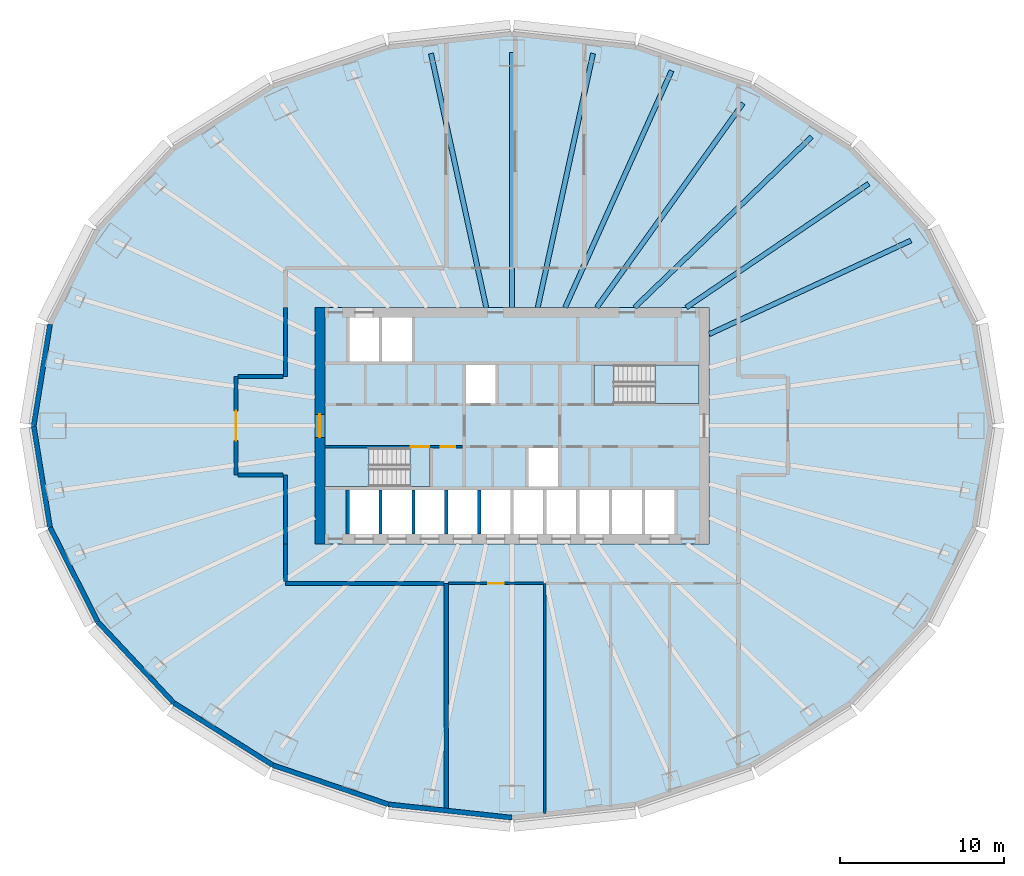
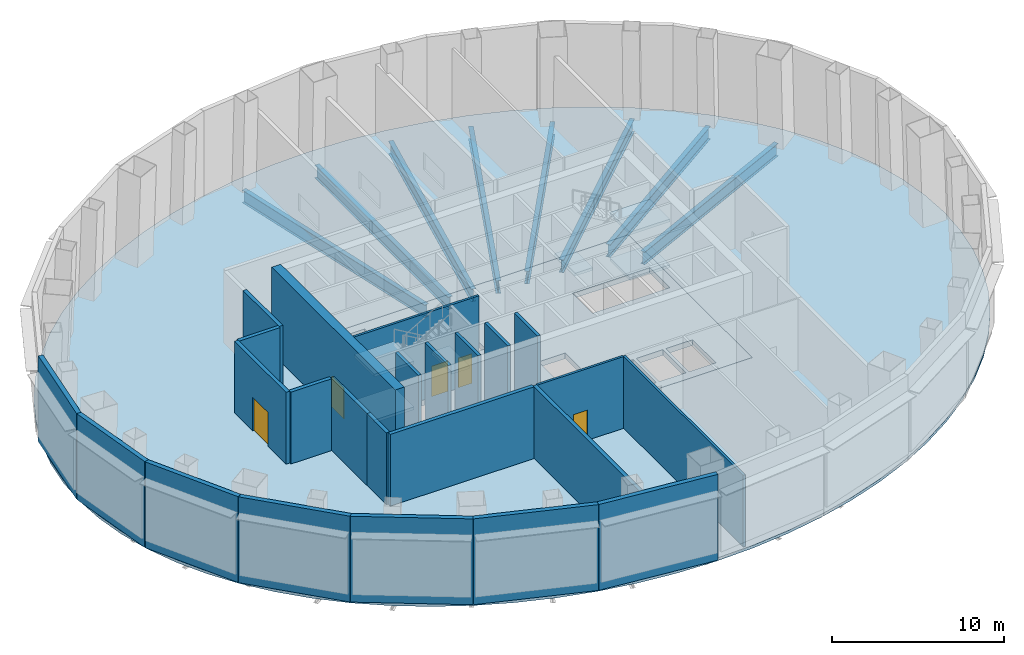
# One storey, part 2 of 9: 24 walls, 8 beams, 8 slabs, 5 doors, 5 openings, 2 elements without a shape of their own.
"""IFC4 building model written with IfcOpenShell, lengths in metres."""

from ifc_helpers import new_model, si_unit, direction, frame, frame_2d, origin, origin_2d, place, context, subcontext, project, spatial, polyline, rectangle, i_section, outline, extrude, material, layer, layer_set, material_profile, profile_set, type_object, element, fill, aggregate, save


model = new_model("IFC4")

# Units and contexts
model_context = context("Model", 3, precision=1e-05, world=origin(), true_north=direction((0.0, 1.0)))
body_context = subcontext(model_context, "Body", "Model", "MODEL_VIEW")
ifc_project = project(units=[si_unit("LENGTHUNIT", "METRE"), si_unit("AREAUNIT", "SQUARE_METRE"), si_unit("VOLUMEUNIT", "CUBIC_METRE"), si_unit("PLANEANGLEUNIT", "RADIAN"), si_unit("MASSUNIT", "GRAM", prefix="KILO")], contexts=[model_context])

# Site, building, storey
site_placement = place(None, origin())
site = spatial("IfcSite", under=ifc_project, at=site_placement, CompositionType="ELEMENT")
building_placement = place(site_placement, origin())
building = spatial("IfcBuilding", under=site, at=building_placement, Name="Siaravel Broadcast Tower", CompositionType="ELEMENT")
storey_placement = place(building_placement, frame((0.0, 0.0, 13.5)))
storey = spatial("IfcBuildingStorey", under=building, at=storey_placement, Name="L02", CompositionType="ELEMENT", Elevation=13.5)

# Beams
ifc_material_1 = material(Name="Steel S355", Category="steel")
ifc_material_profile = material_profile(ifc_material_1, i_section(OverallWidth=0.30322265625, OverallDepth=0.903076171875, WebThickness=0.01513671875, FlangeThickness=0.020263671875, FilletRadius=0.01904296875, at=origin_2d()))
ifc_profile_set = profile_set([ifc_material_profile], Name="Steel S355")
beam_type = type_object("IfcBeamType", Name="BM-UB 914x305x201", PredefinedType="BEAM", material=ifc_profile_set)
beam_1_placement = place(storey_placement, frame((24.280517578125, 11.274169921875, -0.651611328125), z_axis=(-0.906995439, -0.421140444, 0.0), x_axis=(0.421140444, -0.906995439, 0.0)))
element("IfcBeam", 1, at=beam_1_placement, inside=storey, type_object=beam_type, Name="Radial beam RB04", PredefinedType="BEAM", context=body_context, shape_type="SweptSolid", body=[
    extrude(i_section(OverallWidth=0.30322265625, OverallDepth=0.903076171875, WebThickness=0.01513671875, FlangeThickness=0.020263671875, FilletRadius=0.01904296875, at=origin_2d()), origin(), (0.0, 0.0, 1.0), 13.539794921875),
])
beam_2_placement = place(storey_placement, frame((21.7138671875, 14.736083984375, -0.651611328125), z_axis=(-0.82744317, -0.561549463, 0.0), x_axis=(0.561549463, -0.82744317, 0.0)))
element("IfcBeam", 2, at=beam_2_placement, inside=storey, type_object=beam_type, Name="Radial beam RB05", PredefinedType="BEAM", context=body_context, shape_type="SweptSolid", body=[
    extrude(i_section(OverallWidth=0.30322265625, OverallDepth=0.903076171875, WebThickness=0.01513671875, FlangeThickness=0.020263671875, FilletRadius=0.01904296875, at=origin_2d()), origin(), (0.0, 0.0, 1.0), 13.420166015625),
])
beam_3_placement = place(storey_placement, frame((18.23583984375, 17.584716796875, -0.651611328125), z_axis=(-0.719833229, -0.694147047, 0.0), x_axis=(0.694147047, -0.719833229, 0.0)))
element("IfcBeam", 3, at=beam_3_placement, inside=storey, type_object=beam_type, Name="Radial beam RB06", PredefinedType="BEAM", context=body_context, shape_type="SweptSolid", body=[
    extrude(i_section(OverallWidth=0.30322265625, OverallDepth=0.903076171875, WebThickness=0.01513671875, FlangeThickness=0.020263671875, FilletRadius=0.01904296875, at=origin_2d()), origin(), (0.0, 0.0, 1.0), 14.96044921875),
])
beam_4_placement = place(storey_placement, frame((14.067138671875, 19.630615234375, -0.651611328125), z_axis=(-0.582478861, -0.81284585, 0.0), x_axis=(0.81284585, -0.582478861, 0.0)))
element("IfcBeam", 4, at=beam_4_placement, inside=storey, type_object=beam_type, Name="Radial beam RB07", PredefinedType="BEAM", context=body_context, shape_type="SweptSolid", body=[
    extrude(i_section(OverallWidth=0.30322265625, OverallDepth=0.903076171875, WebThickness=0.01513671875, FlangeThickness=0.020263671875, FilletRadius=0.01904296875, at=origin_2d()), origin(), (0.0, 0.0, 1.0), 15.292724609375),
])
beam_5_placement = place(storey_placement, frame((9.7158203125, 21.61279296875, -0.651611328125), z_axis=(-0.410020963, -0.912076099, 0.0), x_axis=(0.912076099, -0.410020963, 0.0)))
element("IfcBeam", 5, at=beam_5_placement, inside=storey, type_object=beam_type, Name="Radial beam RB08", PredefinedType="BEAM", context=body_context, shape_type="SweptSolid", body=[
    extrude(i_section(OverallWidth=0.30322265625, OverallDepth=0.903076171875, WebThickness=0.01513671875, FlangeThickness=0.020263671875, FilletRadius=0.01904296875, at=origin_2d()), origin(), (0.0, 0.0, 1.0), 15.80224609375),
])
beam_6_placement = place(storey_placement, frame((4.9345703125, 22.662109375, -0.651611328125), z_axis=(-0.212767823, -0.977102786, 0.0), x_axis=(0.977102786, -0.212767823, 0.0)))
element("IfcBeam", 6, at=beam_6_placement, inside=storey, type_object=beam_type, Name="Radial beam RB09", PredefinedType="BEAM", context=body_context, shape_type="SweptSolid", body=[
    extrude(i_section(OverallWidth=0.30322265625, OverallDepth=0.903076171875, WebThickness=0.01513671875, FlangeThickness=0.020263671875, FilletRadius=0.01904296875, at=origin_2d()), origin(), (0.0, 0.0, 1.0), 15.824462890625),
])
beam_7_placement = place(storey_placement, frame((0.0, 22.7158203125, -0.651611328125), z_axis=(0.0, -1.0, 0.0), x_axis=(1.0, 0.0, 0.0)))
element("IfcBeam", 7, at=beam_7_placement, inside=storey, type_object=beam_type, Name="Radial beam RB10", PredefinedType="BEAM", context=body_context, shape_type="SweptSolid", body=[
    extrude(i_section(OverallWidth=0.30322265625, OverallDepth=0.903076171875, WebThickness=0.01513671875, FlangeThickness=0.020263671875, FilletRadius=0.01904296875, at=origin_2d()), origin(), (0.0, 0.0, 1.0), 15.515869140625),
])
beam_8_placement = place(storey_placement, frame((-4.9345703125, 22.662109375, -0.651611328125), z_axis=(0.212767823, -0.977102786, 0.0), x_axis=(0.977102786, 0.212767823, 0.0)))
element("IfcBeam", 8, at=beam_8_placement, inside=storey, type_object=beam_type, Name="Radial beam RB11", PredefinedType="BEAM", context=body_context, shape_type="SweptSolid", body=[
    extrude(i_section(OverallWidth=0.30322265625, OverallDepth=0.903076171875, WebThickness=0.01513671875, FlangeThickness=0.020263671875, FilletRadius=0.01904296875, at=origin_2d()), origin(), (0.0, 0.0, 1.0), 15.824462890625),
])

# Slabs
ifc_material_2 = material(Name="Concrete C40/50", Category="concrete")
ifc_layer_1 = layer(ifc_material_2, 0.39990234375)
ifc_layer_set_1 = layer_set([ifc_layer_1], Name="Concrete C40/50")
slab_type_1 = type_object("IfcSlabType", Name="Core floor slab 400", PredefinedType="FLOOR", material=ifc_layer_set_1)
slab_1_placement = place(storey_placement, frame((0.0, 0.0, -0.39990234375)))
element("IfcSlab", 9, at=slab_1_placement, inside=storey, type_object=slab_type_1, Name="L02 core floor", PredefinedType="FLOOR", context=body_context, shape_type="SweptSolid", body=[
    extrude(outline(polyline([(-12.0, -7.199951171875), (-12.0, 7.199951171875), (12.0, 7.199951171875), (12.0, -7.199951171875), (-12.0, -7.199951171875)]), holes=[polyline([(11.3994140625, 1.3505859375), (11.3994140625, 3.699462890625), (6.200439453125, 3.699462890625), (6.200439453125, 1.3505859375), (11.3994140625, 1.3505859375)]), polyline([(9.89990234375, -3.89990234375), (8.10009765625, -3.89990234375), (8.10009765625, -6.60009765625), (9.89990234375, -6.60009765625), (9.89990234375, -3.89990234375)]), polyline([(7.89990234375, -3.89990234375), (6.10009765625, -3.89990234375), (6.10009765625, -6.60009765625), (7.89990234375, -6.60009765625), (7.89990234375, -3.89990234375)]), polyline([(5.89990234375, -3.89990234375), (4.10009765625, -3.89990234375), (4.10009765625, -6.60009765625), (5.89990234375, -6.60009765625), (5.89990234375, -3.89990234375)]), polyline([(3.89990234375, -3.89990234375), (2.10009765625, -3.89990234375), (2.10009765625, -6.60009765625), (3.89990234375, -6.60009765625), (3.89990234375, -3.89990234375)]), polyline([(2.800048828125, -1.35009765625), (1.0, -1.35009765625), (1.0, -3.699951171875), (2.800048828125, -3.699951171875), (2.800048828125, -1.35009765625)]), polyline([(1.89990234375, -3.89990234375), (0.10009765625, -3.89990234375), (0.10009765625, -6.60009765625), (1.89990234375, -6.60009765625), (1.89990234375, -3.89990234375)]), polyline([(-0.10009765625, -3.89990234375), (-1.89990234375, -3.89990234375), (-1.89990234375, -6.60009765625), (-0.10009765625, -6.60009765625), (-0.10009765625, -3.89990234375)]), polyline([(-1.0, 3.699951171875), (-2.800048828125, 3.699951171875), (-2.800048828125, 1.35009765625), (-1.0, 1.35009765625), (-1.0, 3.699951171875)]), polyline([(-2.10009765625, -3.89990234375), (-3.89990234375, -3.89990234375), (-3.89990234375, -6.60009765625), (-2.10009765625, -6.60009765625), (-2.10009765625, -3.89990234375)]), polyline([(-4.10009765625, -3.89990234375), (-5.89990234375, -3.89990234375), (-5.89990234375, -6.60009765625), (-4.10009765625, -6.60009765625), (-4.10009765625, -3.89990234375)]), polyline([(-6.10009765625, -3.89990234375), (-7.89990234375, -3.89990234375), (-7.89990234375, -6.60009765625), (-6.10009765625, -6.60009765625), (-6.10009765625, -3.89990234375)]), polyline([(-6.10009765625, 6.60009765625), (-7.89990234375, 6.60009765625), (-7.89990234375, 3.89990234375), (-6.10009765625, 3.89990234375), (-6.10009765625, 6.60009765625)]), polyline([(-11.3994140625, -1.3505859375), (-11.3994140625, -3.699462890625), (-6.200439453125, -3.699462890625), (-6.200439453125, -1.3505859375), (-11.3994140625, -1.3505859375)]), polyline([(-8.10009765625, -3.89990234375), (-9.89990234375, -3.89990234375), (-9.89990234375, -6.60009765625), (-8.10009765625, -6.60009765625), (-8.10009765625, -3.89990234375)]), polyline([(-8.10009765625, 6.60009765625), (-9.89990234375, 6.60009765625), (-9.89990234375, 3.89990234375), (-8.10009765625, 3.89990234375), (-8.10009765625, 6.60009765625)])]), origin(), (0.0, 0.0, 1.0), 0.39990234375),
])
ifc_layer_2 = layer(ifc_material_2, 0.199951171875)
ifc_layer_set_2 = layer_set([ifc_layer_2], Name="Concrete C40/50")
slab_type_2 = type_object("IfcSlabType", Name="SLB-FLOOR-200", PredefinedType="FLOOR", material=ifc_layer_set_2)
slab_2_placement = place(storey_placement, frame((0.0, 0.0, -0.199951171875)))
element("IfcSlab", 10, at=slab_2_placement, inside=storey, type_object=slab_type_2, Name="Floor slab", PredefinedType="FLOOR", context=body_context, shape_type="SweptSolid", body=[
    extrude(outline(polyline([(29.074951171875, 0.0), (28.96435546875, 2.07568359375), (28.63330078125, 4.135498046875), (28.084228515625, 6.1640625), (27.321533203125, 8.1455078125), (26.350830078125, 10.06494140625), (25.1796875, 11.90771484375), (23.81689453125, 13.66015625), (22.272705078125, 15.308349609375), (20.55908203125, 16.840087890625), (18.68896484375, 18.243896484375), (16.6767578125, 19.5087890625), (14.53759765625, 20.625), (12.28759765625, 21.58447265625), (9.944091796875, 22.37939453125), (7.525146484375, 23.004150390625), (5.048828125, 23.453857421875), (2.5341796875, 23.72509765625), (0.0, 23.815673828125), (-2.5341796875, 23.72509765625), (-5.048828125, 23.453857421875), (-7.525146484375, 23.004150390625), (-9.944091796875, 22.37939453125), (-12.28759765625, 21.58447265625), (-14.53759765625, 20.625), (-16.6767578125, 19.5087890625), (-18.68896484375, 18.243896484375), (-20.55908203125, 16.840087890625), (-22.272705078125, 15.308349609375), (-23.81689453125, 13.66015625), (-25.1796875, 11.90771484375), (-26.350830078125, 10.06494140625), (-27.321533203125, 8.1455078125), (-28.084228515625, 6.1640625), (-28.63330078125, 4.135498046875), (-28.96435546875, 2.07568359375), (-29.074951171875, 0.0), (-28.96435546875, -2.07568359375), (-28.63330078125, -4.135498046875), (-28.084228515625, -6.1640625), (-27.321533203125, -8.1455078125), (-26.350830078125, -10.06494140625), (-25.1796875, -11.907958984375), (-23.81689453125, -13.66015625), (-22.272705078125, -15.308349609375), (-20.55908203125, -16.840087890625), (-18.68896484375, -18.243896484375), (-16.6767578125, -19.5087890625), (-14.53759765625, -20.625), (-12.28759765625, -21.58447265625), (-9.944091796875, -22.37939453125), (-7.525146484375, -23.004150390625), (-5.048828125, -23.453857421875), (-2.5341796875, -23.72509765625), (0.0, -23.815673828125), (2.5341796875, -23.72509765625), (5.048828125, -23.453857421875), (7.525146484375, -23.004150390625), (9.944091796875, -22.37939453125), (12.28759765625, -21.58447265625), (14.53759765625, -20.625), (16.6767578125, -19.5087890625), (18.68896484375, -18.243896484375), (20.55908203125, -16.840087890625), (22.272705078125, -15.308349609375), (23.81689453125, -13.66015625), (25.1796875, -11.907958984375), (26.350830078125, -10.06494140625), (27.321533203125, -8.1455078125), (28.084228515625, -6.1640625), (28.63330078125, -4.135498046875), (28.96435546875, -2.07568359375), (29.074951171875, 0.0)]), holes=[polyline([(-12.0, 7.199951171875), (12.0, 7.199951171875), (12.0, -7.199951171875), (-12.0, -7.199951171875), (-12.0, 7.199951171875)])]), origin(), (0.0, 0.0, 1.0), 0.199951171875),
])

# Stair, slabs
stair_type = type_object("IfcStairType", Name="Core exit stair", PredefinedType="HALF_TURN_STAIR", material=ifc_material_2)
stair_1_placement = place(storey_placement, origin())
stair_1 = element("IfcStair", 11, at=stair_1_placement, inside=storey, type_object=stair_type, Name="L02 Exit stair ST-1", PredefinedType="HALF_TURN_STAIR")
ifc_layer_3 = layer(ifc_material_2, 0.199951171875)
ifc_layer_set_3 = layer_set([ifc_layer_3], Name="Concrete C40/50")
slab_type_3 = type_object("IfcSlabType", Name="Stair landing", PredefinedType="LANDING", material=ifc_layer_set_3)
slab_3_placement = place(storey_placement, frame((0.0, 0.0, 1.425048828125)))
slab_3 = element("IfcSlab", 12, at=slab_3_placement, type_object=slab_type_3, Name="ST-1 landing 1", PredefinedType="LANDING", context=body_context, shape_type="SweptSolid", body=[
    extrude(outline(polyline([(-8.719970703125, -1.35009765625), (-11.39990234375, -1.35009765625), (-11.39990234375, -3.699951171875), (-8.719970703125, -3.699951171875), (-8.719970703125, -1.35009765625)])), origin(), (0.0, 0.0, 1.0), 0.199951171875),
])
slab_4_placement = place(storey_placement, frame((0.0, 0.0, 3.050048828125)))
slab_4 = element("IfcSlab", 13, at=slab_4_placement, type_object=slab_type_3, Name="ST-1 landing 2", PredefinedType="LANDING", context=body_context, shape_type="SweptSolid", body=[
    extrude(outline(polyline([(-5.0, -1.35009765625), (-6.199951171875, -1.35009765625), (-6.199951171875, -3.699951171875), (-5.0, -3.699951171875), (-5.0, -1.35009765625)])), origin(), (0.0, 0.0, 1.0), 0.199951171875),
])
slab_5_placement = place(storey_placement, frame((0.0, 0.0, 4.675048828125)))
slab_5 = element("IfcSlab", 14, at=slab_5_placement, type_object=slab_type_3, Name="ST-1 landing 3", PredefinedType="LANDING", context=body_context, shape_type="SweptSolid", body=[
    extrude(outline(polyline([(-8.719970703125, -1.35009765625), (-11.39990234375, -1.35009765625), (-11.39990234375, -3.699951171875), (-8.719970703125, -3.699951171875), (-8.719970703125, -1.35009765625)])), origin(), (0.0, 0.0, 1.0), 0.199951171875),
])
aggregate(stair_1, [slab_3, slab_4, slab_5])

stair_2_placement = place(storey_placement, origin())
stair_2 = element("IfcStair", 15, at=stair_2_placement, inside=storey, type_object=stair_type, Name="L02 Exit stair ST-2", PredefinedType="HALF_TURN_STAIR")
slab_6_placement = place(storey_placement, frame((0.0, 0.0, 1.425048828125)))
slab_6 = element("IfcSlab", 16, at=slab_6_placement, type_object=slab_type_3, Name="ST-2 landing 1", PredefinedType="LANDING", context=body_context, shape_type="SweptSolid", body=[
    extrude(outline(polyline([(8.719970703125, 1.35009765625), (11.39990234375, 1.35009765625), (11.39990234375, 3.699951171875), (8.719970703125, 3.699951171875), (8.719970703125, 1.35009765625)])), origin(), (0.0, 0.0, 1.0), 0.199951171875),
])
slab_7_placement = place(storey_placement, frame((0.0, 0.0, 3.050048828125)))
slab_7 = element("IfcSlab", 17, at=slab_7_placement, type_object=slab_type_3, Name="ST-2 landing 2", PredefinedType="LANDING", context=body_context, shape_type="SweptSolid", body=[
    extrude(outline(polyline([(5.0, 1.35009765625), (6.199951171875, 1.35009765625), (6.199951171875, 3.699951171875), (5.0, 3.699951171875), (5.0, 1.35009765625)])), origin(), (0.0, 0.0, 1.0), 0.199951171875),
])
slab_8_placement = place(storey_placement, frame((0.0, 0.0, 4.675048828125)))
slab_8 = element("IfcSlab", 18, at=slab_8_placement, type_object=slab_type_3, Name="ST-2 landing 3", PredefinedType="LANDING", context=body_context, shape_type="SweptSolid", body=[
    extrude(outline(polyline([(8.719970703125, 1.35009765625), (11.39990234375, 1.35009765625), (11.39990234375, 3.699951171875), (8.719970703125, 3.699951171875), (8.719970703125, 1.35009765625)])), origin(), (0.0, 0.0, 1.0), 0.199951171875),
])
aggregate(stair_2, [slab_6, slab_7, slab_8])

# Walls
ifc_layer_4 = layer(ifc_material_2, 0.300048828125)
ifc_layer_set_4 = layer_set([ifc_layer_4], Name="Concrete C40/50")
wall_type_1 = type_object("IfcWallType", Name="Acoustic studio wall", PredefinedType="STANDARD", material=ifc_layer_set_4)
for number, where, z_axis, x_axis, name in (
    (19, (-28.1318359375, 6.179443359375, 0.0), (0.0, 0.0, 1.0), (-0.158684207, -0.987329389, 0.0), "L02 studio acoustic wall 12"),
    (20, (-29.125, 0.0, 0.0), (0.0, 0.0, 1.0), (0.158684207, -0.987329389, 0.0), "L02 studio acoustic wall 13"),
):
    element("IfcWall", number, at=place(storey_placement, frame(where, z_axis=z_axis, x_axis=x_axis)), inside=storey, type_object=wall_type_1, Name=name, PredefinedType="STANDARD", context=body_context, shape_type="SweptSolid", body=[
        extrude(rectangle(XDim=6.2587890625, YDim=0.300048828125, at=frame_2d((3.12939453125, 0.0))), origin(), (0.0, 0.0, 1.0), 6.10009765625),
    ])
wall_1_placement = place(storey_placement, frame((-28.1318359375, -6.179443359375, 0.0), z_axis=(0.0, 0.0, 1.0), x_axis=(0.45123552, -0.8924049, 0.0)))
element("IfcWall", 21, at=wall_1_placement, inside=storey, type_object=wall_type_1, Name="L02 studio acoustic wall 14", PredefinedType="STANDARD", context=body_context, shape_type="SweptSolid", body=[
    extrude(rectangle(XDim=6.451416015625, YDim=0.300048828125, at=frame_2d((3.2255859375, 0.0))), origin(), (0.0, 0.0, 1.0), 6.10009765625),
])
wall_2_placement = place(storey_placement, frame((-25.220703125, -11.936767578125, 0.0), z_axis=(0.0, 0.0, 1.0), x_axis=(0.683676058, -0.729785617, 0.0)))
element("IfcWall", 22, at=wall_2_placement, inside=storey, type_object=wall_type_1, Name="L02 studio acoustic wall 15", PredefinedType="STANDARD", context=body_context, shape_type="SweptSolid", body=[
    extrude(rectangle(XDim=6.77197265625, YDim=0.300048828125, at=frame_2d((3.385986328125, 0.0))), origin(), (0.0, 0.0, 1.0), 6.10009765625),
])
wall_3_placement = place(storey_placement, frame((-20.5908203125, -16.87890625, 0.0), z_axis=(0.0, 0.0, 1.0), x_axis=(0.846653753, -0.532144175, 0.0)))
element("IfcWall", 23, at=wall_3_placement, inside=storey, type_object=wall_type_1, Name="L02 studio acoustic wall 16", PredefinedType="STANDARD", context=body_context, shape_type="SweptSolid", body=[
    extrude(rectangle(XDim=7.12451171875, YDim=0.300048828125, at=frame_2d((3.562255859375, 0.0))), origin(), (0.0, 0.0, 1.0), 6.10009765625),
])
wall_4_placement = place(storey_placement, frame((-14.558837890625, -20.670166015625, 0.0), z_axis=(0.0, 0.0, 1.0), x_axis=(0.946977627, -0.321299508, 0.0)))
element("IfcWall", 24, at=wall_4_placement, inside=storey, type_object=wall_type_1, Name="L02 studio acoustic wall 17", PredefinedType="STANDARD", context=body_context, shape_type="SweptSolid", body=[
    extrude(rectangle(XDim=7.416259765625, YDim=0.300048828125, at=frame_2d((3.7080078125, 0.0))), origin(), (0.0, 0.0, 1.0), 6.10009765625),
])
wall_5_placement = place(storey_placement, frame((-7.535888671875, -23.052978515625, 0.0), z_axis=(0.0, 0.0, 1.0), x_axis=(0.994234458, -0.107227995, 0.0)))
element("IfcWall", 25, at=wall_5_placement, inside=storey, type_object=wall_type_1, Name="L02 studio acoustic wall 18", PredefinedType="STANDARD", context=body_context, shape_type="SweptSolid", body=[
    extrude(rectangle(XDim=7.57958984375, YDim=0.300048828125, at=frame_2d((3.789794921875, 0.0))), origin(), (0.0, 0.0, 1.0), 6.10009765625),
])

# Wall, opening, door
ifc_material_3 = material(Name="Concrete C60/75", Category="concrete")
ifc_layer_5 = layer(ifc_material_3, 0.60009765625)
ifc_layer_set_5 = layer_set([ifc_layer_5], Name="Concrete C60/75")
wall_type_2 = type_object("IfcWallType", Name="Core wall 600", PredefinedType="SHEAR", material=ifc_layer_set_5)
wall_6_placement = place(storey_placement, frame((-11.699951171875, -7.199951171875, 0.0), z_axis=(0.0, 0.0, 1.0), x_axis=(0.0, 1.0, 0.0)))
wall_6 = element("IfcWall", 26, at=wall_6_placement, inside=storey, type_object=wall_type_2, Name="L02 core wall OW", PredefinedType="SHEAR", context=body_context, shape_type="SweptSolid", body=[
    extrude(rectangle(XDim=14.39990234375, YDim=0.60009765625, at=frame_2d((7.199951171875, 0.0))), origin(), (0.0, 0.0, 1.0), 6.10009765625),
])
opening_1_placement = place(wall_6_placement, frame((6.5, 0.0, 0.0)))
opening_1 = element("IfcOpeningElement", 27, at=opening_1_placement, cuts=wall_6, Name="Opening L02-DX-W", PredefinedType="OPENING", context=body_context, shape_type="SweptSolid", body=[
    extrude(rectangle(XDim=1.39990234375, YDim=2.199951171875, at=frame_2d((0.699951171875, 1.10009765625))), frame((0.0, 0.31005859375, 0.0), z_axis=(0.0, -1.0, 0.0), x_axis=(1.0, 0.0, 0.0)), (0.0, 0.0, 1.0), 0.6201171875),
])
ifc_material_4 = material(Name="Steel", Category="steel")
door_type_1 = type_object("IfcDoorType", Name="Core exit door 1400", OperationType="DOUBLE_DOOR_SINGLE_SWING", PredefinedType="DOOR", material=ifc_material_4)
door_1_placement = place(opening_1_placement, origin())
door_1 = element("IfcDoor", 28, at=door_1_placement, inside=storey, type_object=door_type_1, Name="L02 door DX-W", OperationType="DOUBLE_DOOR_SINGLE_SWING", OverallHeight=2.199951171875, OverallWidth=1.39990234375, PredefinedType="DOOR", context=body_context, shape_type="SweptSolid", body=[
    extrude(rectangle(XDim=1.39990234375, YDim=2.199951171875, at=frame_2d((0.699951171875, 1.10009765625))), frame((0.0, 0.02490234375, 0.0), z_axis=(0.0, -1.0, 0.0), x_axis=(1.0, 0.0, 0.0)), (0.0, 0.0, 1.0), 0.050048828125),
])
fill(opening_1, door_1)

ifc_material_5 = material(Name="Gypsum board partition", Category="gypsum")
ifc_layer_6 = layer(ifc_material_5, 0.14990234375)
ifc_layer_set_6 = layer_set([ifc_layer_6], Name="Gypsum board partition")
wall_type_3 = type_object("IfcWallType", Name="Corridor wall 150", PredefinedType="PARTITIONING", material=ifc_layer_set_6)
wall_7_placement = place(storey_placement, frame((-3.873046875, -9.60009765625, 0.0), z_axis=(0.0, 0.0, 1.0), x_axis=(1.0, 0.0, 0.0)))
wall_7 = element("IfcWall", 29, at=wall_7_placement, inside=storey, type_object=wall_type_3, Name="L02 partition 14", PredefinedType="PARTITIONING", context=body_context, shape_type="SweptSolid", body=[
    extrude(rectangle(XDim=5.796142578125, YDim=0.14990234375, at=frame_2d((2.89794921875, 0.0))), origin(), (0.0, 0.0, 1.0), 5.10009765625),
])
opening_2_placement = place(wall_7_placement, frame((2.423095703125, 0.0, 0.0)))
opening_2 = element("IfcOpeningElement", 30, at=opening_2_placement, cuts=wall_7, Name="Opening L02-005", PredefinedType="OPENING", context=body_context, shape_type="SweptSolid", body=[
    extrude(rectangle(XDim=0.949951171875, YDim=2.14990234375, at=frame_2d((0.47509765625, 1.074951171875))), frame((0.0, 0.0849609375, 0.0), z_axis=(0.0, -1.0, 0.0), x_axis=(1.0, 0.0, 0.0)), (0.0, 0.0, 1.0), 0.169921875),
])
ifc_material_6 = material(Name="Timber veneer", Category="wood")
door_type_2 = type_object("IfcDoorType", Name="Office door 950", OperationType="SINGLE_SWING_LEFT", PredefinedType="DOOR", material=ifc_material_6)
door_2_placement = place(opening_2_placement, origin())
door_2 = element("IfcDoor", 31, at=door_2_placement, inside=storey, type_object=door_type_2, Name="L02 door to Rehearsal room", OperationType="SINGLE_SWING_LEFT", OverallHeight=2.14990234375, OverallWidth=0.949951171875, PredefinedType="DOOR", context=body_context, shape_type="SweptSolid", body=[
    extrude(rectangle(XDim=0.949951171875, YDim=2.14990234375, at=frame_2d((0.47509765625, 1.074951171875))), frame((0.0, 0.02490234375, 0.0), z_axis=(0.0, -1.0, 0.0), x_axis=(1.0, 0.0, 0.0)), (0.0, 0.0, 1.0), 0.050048828125),
])
fill(opening_2, door_2)

# Wall
ifc_layer_7 = layer(ifc_material_5, 0.14990234375)
ifc_layer_set_7 = layer_set([ifc_layer_7], Name="Gypsum board partition")
wall_type_4 = type_object("IfcWallType", Name="Room partition 150", PredefinedType="PARTITIONING", material=ifc_layer_set_7)
wall_8_placement = place(storey_placement, frame((2.0, -23.60009765625, 0.0), z_axis=(0.0, 0.0, 1.0), x_axis=(0.0, 1.0, 0.0)))
element("IfcWall", 32, at=wall_8_placement, inside=storey, type_object=wall_type_4, Name="L02 partition 2", PredefinedType="PARTITIONING", context=body_context, shape_type="SweptSolid", body=[
    extrude(rectangle(XDim=14.0, YDim=0.14990234375, at=frame_2d((7.0, 0.0))), origin(), (0.0, 0.0, 1.0), 5.10009765625),
])

# Wall, openings, doors
ifc_layer_8 = layer(ifc_material_3, 0.14990234375)
ifc_layer_set_8 = layer_set([ifc_layer_8], Name="Concrete C60/75")
wall_type_5 = type_object("IfcWallType", Name="Shaft wall 150", PredefinedType="SHEAR", material=ifc_layer_set_8)
wall_9_placement = place(storey_placement, frame((-11.39990234375, -1.27490234375, 0.0), z_axis=(0.0, 0.0, 1.0), x_axis=(1.0, 0.0, 0.0)))
wall_9 = element("IfcWall", 33, at=wall_9_placement, inside=storey, type_object=wall_type_5, Name="L02 core wall CSW", PredefinedType="SHEAR", context=body_context, shape_type="SweptSolid", body=[
    extrude(rectangle(XDim=8.39990234375, YDim=0.14990234375, at=frame_2d((4.199951171875, 0.0))), origin(), (0.0, 0.0, 1.0), 6.10009765625),
])
opening_3_placement = place(wall_9_placement, frame((5.25, 0.0, 0.0)))
opening_3 = element("IfcOpeningElement", 34, at=opening_3_placement, cuts=wall_9, Name="Opening L02-DS-1", PredefinedType="OPENING", context=body_context, shape_type="SweptSolid", body=[
    extrude(rectangle(XDim=1.10009765625, YDim=2.14990234375, at=frame_2d((0.550048828125, 1.074951171875))), frame((0.0, 0.0849609375, 0.0), z_axis=(0.0, -1.0, 0.0), x_axis=(1.0, 0.0, 0.0)), (0.0, 0.0, 1.0), 0.169921875),
])
opening_4_placement = place(wall_9_placement, frame((7.050048828125, 0.0, 0.0)))
opening_4 = element("IfcOpeningElement", 35, at=opening_4_placement, cuts=wall_9, Name="Opening L02-DSW0", PredefinedType="OPENING", context=body_context, shape_type="SweptSolid", body=[
    extrude(rectangle(XDim=0.89990234375, YDim=2.10009765625, at=frame_2d((0.449951171875, 1.050048828125))), frame((0.0, 0.0849609375, 0.0), z_axis=(0.0, -1.0, 0.0), x_axis=(1.0, 0.0, 0.0)), (0.0, 0.0, 1.0), 0.169921875),
])
door_type_3 = type_object("IfcDoorType", Name="Core room door 900", OperationType="SINGLE_SWING_LEFT", PredefinedType="DOOR", material=ifc_material_6)
door_3_placement = place(opening_4_placement, origin())
door_3 = element("IfcDoor", 36, at=door_3_placement, inside=storey, type_object=door_type_3, Name="L02 door DSW0", OperationType="SINGLE_SWING_LEFT", OverallHeight=2.10009765625, OverallWidth=0.89990234375, PredefinedType="DOOR", context=body_context, shape_type="SweptSolid", body=[
    extrude(rectangle(XDim=0.89990234375, YDim=2.10009765625, at=frame_2d((0.449951171875, 1.050048828125))), frame((0.0, 0.02490234375, 0.0), z_axis=(0.0, -1.0, 0.0), x_axis=(1.0, 0.0, 0.0)), (0.0, 0.0, 1.0), 0.050048828125),
])
fill(opening_4, door_3)
door_type_4 = type_object("IfcDoorType", Name="Stair door 1100", OperationType="SINGLE_SWING_LEFT", PredefinedType="DOOR", material=ifc_material_4)
door_4_placement = place(opening_3_placement, origin())
door_4 = element("IfcDoor", 37, at=door_4_placement, inside=storey, type_object=door_type_4, Name="L02 door DS-1", OperationType="SINGLE_SWING_LEFT", OverallHeight=2.14990234375, OverallWidth=1.10009765625, PredefinedType="DOOR", context=body_context, shape_type="SweptSolid", body=[
    extrude(rectangle(XDim=1.10009765625, YDim=2.14990234375, at=frame_2d((0.550048828125, 1.074951171875))), frame((0.0, 0.02490234375, 0.0), z_axis=(0.0, -1.0, 0.0), x_axis=(1.0, 0.0, 0.0)), (0.0, 0.0, 1.0), 0.050048828125),
])
fill(opening_3, door_4)

# Walls
ifc_layer_9 = layer(ifc_material_3, 0.199951171875)
ifc_layer_set_9 = layer_set([ifc_layer_9], Name="Concrete C60/75")
wall_type_6 = type_object("IfcWallType", Name="Shaft wall 200", PredefinedType="SHEAR", material=ifc_layer_set_9)
for number, where, z_axis, x_axis, name in (
    (38, (-10.0, -6.60009765625, 0.0), (0.0, 0.0, 1.0), (0.0, 1.0, 0.0), "L02 core wall SWS0"),
    (39, (-8.0, -6.60009765625, 0.0), (0.0, 0.0, 1.0), (0.0, 1.0, 0.0), "L02 core wall SWS1"),
    (40, (-6.0, -6.60009765625, 0.0), (0.0, 0.0, 1.0), (0.0, 1.0, 0.0), "L02 core wall SWS2"),
    (41, (-4.0, -6.60009765625, 0.0), (0.0, 0.0, 1.0), (0.0, 1.0, 0.0), "L02 core wall SWS3"),
    (42, (-2.0, -6.60009765625, 0.0), (0.0, 0.0, 1.0), (0.0, 1.0, 0.0), "L02 core wall SWS4"),
):
    element("IfcWall", number, at=place(storey_placement, frame(where, z_axis=z_axis, x_axis=x_axis)), inside=storey, type_object=wall_type_6, Name=name, PredefinedType="SHEAR", context=body_context, shape_type="SweptSolid", body=[
        extrude(rectangle(XDim=2.7001953125, YDim=0.199951171875, at=frame_2d((1.35009765625, 0.0))), origin(), (0.0, 0.0, 1.0), 6.10009765625),
    ])
ifc_material_7 = material(Name="Concrete blockwork", Category="masonry")
ifc_layer_10 = layer(ifc_material_7, 0.25)
ifc_layer_set_10 = layer_set([ifc_layer_10], Name="Concrete blockwork")
wall_type_7 = type_object("IfcWallType", Name="Studio wall 250", PredefinedType="PARTITIONING", material=ifc_layer_set_10)
wall_10_placement = place(storey_placement, frame((-4.0, -23.4462890625, 0.0), z_axis=(0.0, 0.0, 1.0), x_axis=(0.0, 1.0, 0.0)))
element("IfcWall", 43, at=wall_10_placement, inside=storey, type_object=wall_type_7, Name="L02 partition 3", PredefinedType="PARTITIONING", context=body_context, shape_type="SweptSolid", body=[
    extrude(rectangle(XDim=13.84619140625, YDim=0.25, at=frame_2d((6.923095703125, 0.0))), origin(), (0.0, 0.0, 1.0), 5.10009765625),
])
wall_11_placement = place(storey_placement, frame((-13.800048828125, -9.60009765625, 0.0), z_axis=(0.0, 0.0, 1.0), x_axis=(1.0, 0.0, 0.0)))
element("IfcWall", 44, at=wall_11_placement, inside=storey, type_object=wall_type_7, Name="L02 partition 11", PredefinedType="PARTITIONING", context=body_context, shape_type="SweptSolid", body=[
    extrude(rectangle(XDim=9.673095703125, YDim=0.25, at=frame_2d((4.83642578125, 0.0))), origin(), (0.0, 0.0, 1.0), 5.10009765625),
])

# Wall, opening, door
wall_12_placement = place(storey_placement, frame((-16.800048828125, 3.0, 0.0), z_axis=(0.0, 0.0, 1.0), x_axis=(0.0, -1.0, 0.0)))
wall_12 = element("IfcWall", 45, at=wall_12_placement, inside=storey, type_object=wall_type_7, Name="L02 partition 13", PredefinedType="PARTITIONING", context=body_context, shape_type="SweptSolid", body=[
    extrude(rectangle(XDim=6.0, YDim=0.25, at=frame_2d((3.0, 0.0))), origin(), (0.0, 0.0, 1.0), 5.10009765625),
])
opening_5_placement = place(wall_12_placement, frame((2.10009765625, 0.0, 0.0)))
opening_5 = element("IfcOpeningElement", 46, at=opening_5_placement, cuts=wall_12, Name="Opening L02-009", PredefinedType="OPENING", context=body_context, shape_type="SweptSolid", body=[
    extrude(rectangle(XDim=1.800048828125, YDim=2.39990234375, at=frame_2d((0.89990234375, 1.199951171875))), frame((0.0, 0.135009765625, 0.0), z_axis=(0.0, -1.0, 0.0), x_axis=(1.0, 0.0, 0.0)), (0.0, 0.0, 1.0), 0.27001953125),
])
ifc_material_8 = material(Name="Acoustic timber and steel", Category="steel")
door_type_5 = type_object("IfcDoorType", Name="Studio sound door 1800", OperationType="DOUBLE_DOOR_SINGLE_SWING", PredefinedType="DOOR", material=ifc_material_8)
door_5_placement = place(opening_5_placement, origin())
door_5 = element("IfcDoor", 47, at=door_5_placement, inside=storey, type_object=door_type_5, Name="L02 door to Studio C", OperationType="DOUBLE_DOOR_SINGLE_SWING", OverallHeight=2.39990234375, OverallWidth=1.800048828125, PredefinedType="DOOR", context=body_context, shape_type="SweptSolid", body=[
    extrude(rectangle(XDim=1.800048828125, YDim=2.39990234375, at=frame_2d((0.89990234375, 1.199951171875))), frame((0.0, 0.02490234375, 0.0), z_axis=(0.0, -1.0, 0.0), x_axis=(1.0, 0.0, 0.0)), (0.0, 0.0, 1.0), 0.050048828125),
])
fill(opening_5, door_5)

# Walls
for number, where, z_axis, x_axis, name in (
    (48, (-13.800048828125, -3.0, 0.0), (0.0, 0.0, 1.0), (0.0, -1.0, 0.0), "L02 partition 18"),
    (49, (-13.800048828125, 7.2119140625, 0.0), (0.0, 0.0, 1.0), (0.0, -1.0, 0.0), "L02 partition 19"),
):
    element("IfcWall", number, at=place(storey_placement, frame(where, z_axis=z_axis, x_axis=x_axis)), inside=storey, type_object=wall_type_7, Name=name, PredefinedType="PARTITIONING", context=body_context, shape_type="SweptSolid", body=[
        extrude(rectangle(XDim=4.2119140625, YDim=0.25, at=frame_2d((2.10595703125, 0.0))), origin(), (0.0, 0.0, 1.0), 5.10009765625),
    ])
for number, where, z_axis, x_axis, name in (
    (50, (-16.673095703125, -3.0, 0.0), (0.0, 0.0, 1.0), (1.0, 0.0, 0.0), "L02 partition 27"),
    (51, (-13.927001953125, 3.0, 0.0), (0.0, 0.0, 1.0), (-1.0, 0.0, 0.0), "L02 partition 28"),
):
    element("IfcWall", number, at=place(storey_placement, frame(where, z_axis=z_axis, x_axis=x_axis)), inside=storey, type_object=wall_type_7, Name=name, PredefinedType="PARTITIONING", context=body_context, shape_type="SweptSolid", body=[
        extrude(rectangle(XDim=2.74609375, YDim=0.25, at=frame_2d((1.373046875, 0.0))), origin(), (0.0, 0.0, 1.0), 5.10009765625),
    ])
wall_13_placement = place(storey_placement, frame((-13.800048828125, -7.212890625, 0.0), z_axis=(0.0, 0.0, 1.0), x_axis=(0.0, -1.0, 0.0)))
element("IfcWall", 52, at=wall_13_placement, inside=storey, type_object=wall_type_7, Name="L02 partition 33", PredefinedType="PARTITIONING", context=body_context, shape_type="SweptSolid", body=[
    extrude(rectangle(XDim=2.260009765625, YDim=0.25, at=frame_2d((1.1298828125, 0.0))), origin(), (0.0, 0.0, 1.0), 5.10009765625),
])

save(model, "model.ifc")
